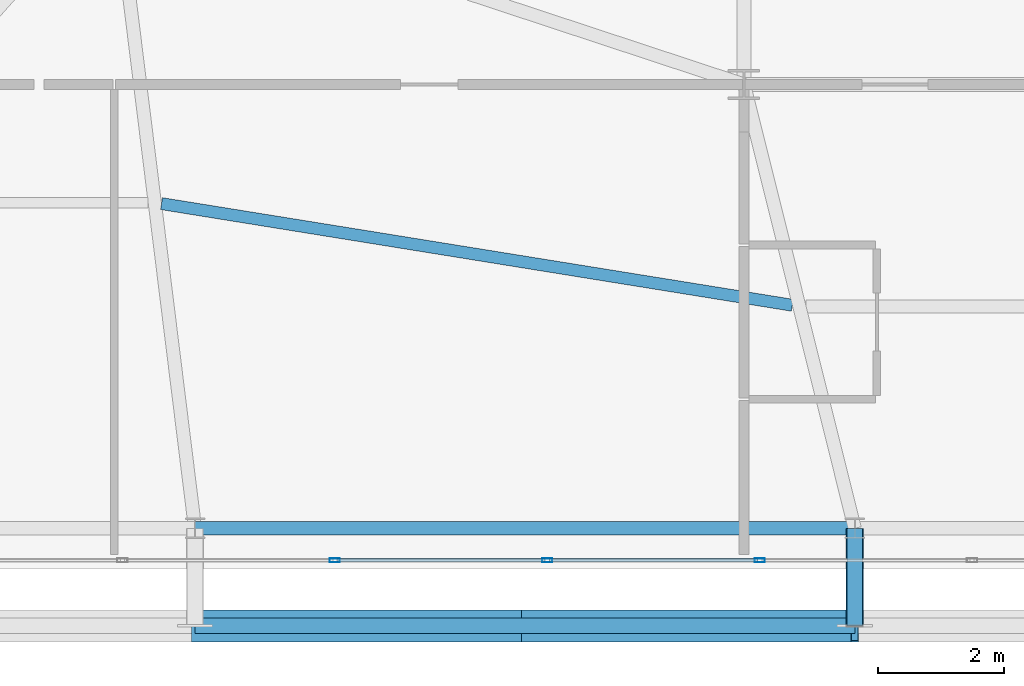
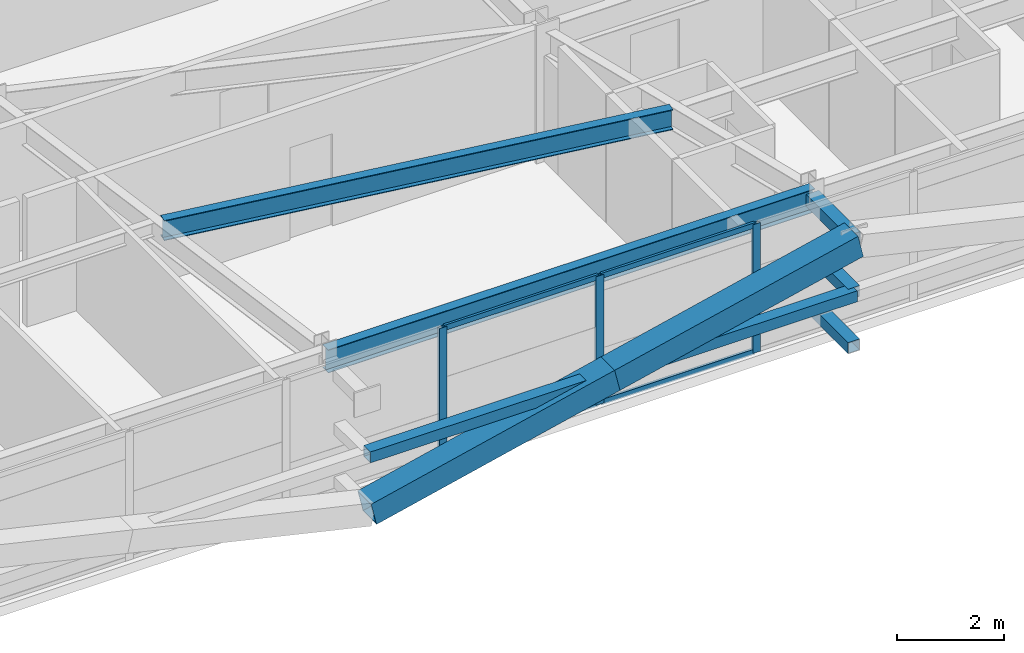
# One storey, part 11 of 59: 13 members, 2 beams, 1 element without a shape of its own.
"""IFC4 building model written with IfcOpenShell, lengths in metres."""

import ifcopenshell
import ifcopenshell.guid

model = None  # the IFC model being written
_history = None  # IfcOwnerHistory: only IFC2X3 demands one
_inside = {}  # id of a spatial element -> (the spatial element, [elements in it])
_under = {}  # id of a project, library or spatial element -> (it, [spatial elements below it])
_declared = {}  # id of a project -> (the project, [libraries it declares])
_typed = {}  # id of a type object -> (the type object, [elements of that type])
_made_of = {}  # id of a material, layer set ... -> (it, [elements and type objects made of it])


def new_model(schema):
    """Start an empty IFC model of exactly this schema.

    Asked for "IFC4X3", IfcOpenShell would pick the latest addendum, in which some entities
    have other attributes; the version numbers below select the first issue.
    IFC2X3 requires an IfcOwnerHistory on every rooted entity: one is made here for all.
    """
    global model, _history
    if schema == "IFC4X3":
        model = ifcopenshell.file(schema_version=(4, 3, 0, 0))
    else:
        model = ifcopenshell.file(schema=schema)
    _inside.clear()
    _under.clear()
    _declared.clear()
    _typed.clear()
    _made_of.clear()
    _history = None
    if model.schema == "IFC2X3":
        org = make("IfcOrganization", Name="unknown")
        user = make(
            "IfcPersonAndOrganization",
            ThePerson=make("IfcPerson", FamilyName="unknown"),
            TheOrganization=org,
        )
        app = make(
            "IfcApplication",
            ApplicationDeveloper=org,
            Version="unknown",
            ApplicationFullName="unknown",
            ApplicationIdentifier="unknown",
        )
        _history = make(
            "IfcOwnerHistory",
            OwningUser=user,
            OwningApplication=app,
            ChangeAction="ADDED",
            CreationDate=0,
        )
    return model


def make(cls, **values):
    """One entity of the class cls with the attributes given. An attribute that is None is left unset."""
    return model.create_entity(
        cls, **{name: value for name, value in values.items() if value is not None}
    )


def rooted(cls, **values):
    """An entity with a GlobalId (a new one), such as an element, a storey or a relation."""
    return make(cls, GlobalId=ifcopenshell.guid.new(), OwnerHistory=_history, **values)


def si_unit(unit_type, name, prefix=None):
    """IfcSIUnit, for example si_unit("LENGTHUNIT", "METRE", prefix="MILLI")."""
    return make("IfcSIUnit", UnitType=unit_type, Prefix=prefix, Name=name)


def assignment(units):
    """IfcUnitAssignment: the units of a project."""
    return None if units is None else make("IfcUnitAssignment", Units=units)


def point(xyz):
    """IfcCartesianPoint."""
    return None if xyz is None else make("IfcCartesianPoint", Coordinates=xyz)


def direction(xyz):
    """IfcDirection."""
    return None if xyz is None else make("IfcDirection", DirectionRatios=xyz)


def frame(location, z_axis=None, x_axis=None):
    """IfcAxis2Placement3D, a coordinate frame: its origin and axes. An axis left out is left unset."""
    return make(
        "IfcAxis2Placement3D",
        Location=point(location),
        Axis=direction(z_axis),
        RefDirection=direction(x_axis),
    )


def frame_2d(location, x_axis=None):
    """IfcAxis2Placement2D, a coordinate frame in the plane: its origin and x axis."""
    return make(
        "IfcAxis2Placement2D", Location=point(location), RefDirection=direction(x_axis)
    )


def origin():
    """The frame at (0, 0, 0) with its axes left unset."""
    return frame((0.0, 0.0, 0.0))


def origin_2d():
    """The frame at (0, 0) in the plane with its x axis left unset."""
    return frame_2d((0.0, 0.0))


def place(relative_to, where):
    """IfcLocalPlacement: puts the frame where relative to a parent placement (None: the world)."""
    return make(
        "IfcLocalPlacement", PlacementRelTo=relative_to, RelativePlacement=where
    )


def context(
    kind, dimensions, precision=None, world=None, true_north=None, identifier=None
):
    """IfcGeometricRepresentationContext, for example the 3D "Model" context."""
    return make(
        "IfcGeometricRepresentationContext",
        ContextIdentifier=identifier,
        ContextType=kind,
        CoordinateSpaceDimension=dimensions,
        Precision=precision,
        WorldCoordinateSystem=world,
        TrueNorth=true_north,
    )


def subcontext(parent, identifier, kind, view, scale=None):
    """IfcGeometricRepresentationSubContext, for example "Body" below "Model"."""
    return make(
        "IfcGeometricRepresentationSubContext",
        ContextIdentifier=identifier,
        ContextType=kind,
        ParentContext=parent,
        TargetScale=scale,
        TargetView=view,
    )


def project(units=None, contexts=None):
    """IfcProject with its units and contexts."""
    return rooted(
        "IfcProject",
        Name="project",
        RepresentationContexts=contexts,
        UnitsInContext=assignment(units),
    )


def spatial(cls, under=None, at=None, **own):
    """A site, building, storey or space (cls), placed at a placement, below another one or the project."""
    s = rooted(cls, ObjectPlacement=at, **own)
    if under is not None:
        _under.setdefault(under.id(), (under, []))[1].append(s)
    return s


def profile(cls, at=None, kind="AREA", **sizes):
    """A parametric profile (cls). Its sizes go by their IFC names, for example OverallWidth=200.0."""
    return make(cls, ProfileType=kind, Position=at, **sizes)


def hollow_rectangle(**sizes):
    """IfcRectangleHollowProfileDef."""
    return profile("IfcRectangleHollowProfileDef", **sizes)


def i_section(**sizes):
    """IfcIShapeProfileDef."""
    return profile("IfcIShapeProfileDef", **sizes)


def extrude(swept, where, along, depth):
    """IfcExtrudedAreaSolid: the profile swept, set in the frame where, extruded along a direction by depth."""
    return make(
        "IfcExtrudedAreaSolid",
        SweptArea=swept,
        Position=where,
        ExtrudedDirection=direction(along),
        Depth=depth,
    )


def shape(context_of_items, identifier, shape_type, items):
    """IfcShapeRepresentation: the items that make up one representation, for example the "Body"."""
    return make(
        "IfcShapeRepresentation",
        ContextOfItems=context_of_items,
        RepresentationIdentifier=identifier,
        RepresentationType=shape_type,
        Items=items,
    )


def source(mapping_origin, context_of_items, identifier, shape_type, items):
    """IfcRepresentationMap: a shape defined once, which mapped items show again and again."""
    return make(
        "IfcRepresentationMap",
        MappingOrigin=mapping_origin,
        MappedRepresentation=shape(context_of_items, identifier, shape_type, items),
    )


def transform(
    local_origin,
    x_axis=None,
    y_axis=None,
    z_axis=None,
    scale=None,
    scale2=None,
    scale3=None,
    uniform=True,
):
    """IfcCartesianTransformationOperator3D, or its non-uniform kind. x_axis, y_axis, z_axis: its Axis1, 2, 3."""
    if uniform:
        return make(
            "IfcCartesianTransformationOperator3D",
            Axis1=direction(x_axis),
            Axis2=direction(y_axis),
            LocalOrigin=point(local_origin),
            Scale=scale,
            Axis3=direction(z_axis),
        )
    return make(
        "IfcCartesianTransformationOperator3DnonUniform",
        Axis1=direction(x_axis),
        Axis2=direction(y_axis),
        LocalOrigin=point(local_origin),
        Scale=scale,
        Axis3=direction(z_axis),
        Scale2=scale2,
        Scale3=scale3,
    )


def mapped(mapping_source, mapping_target):
    """IfcMappedItem: shows the shape of a source again, moved by a transform."""
    return make(
        "IfcMappedItem", MappingSource=mapping_source, MappingTarget=mapping_target
    )


def material(Name=None, Category=None):
    """IfcMaterial."""
    return make("IfcMaterial", Name=Name, Category=Category)


def layer(
    of_material, thickness, ventilated=None, Name=None, Category=None, Priority=None
):
    """IfcMaterialLayer: one layer of a wall or slab, of a material (None: an air gap)."""
    return make(
        "IfcMaterialLayer",
        Material=of_material,
        LayerThickness=thickness,
        IsVentilated=ventilated,
        Name=Name,
        Category=Category,
        Priority=Priority,
    )


def layer_set(layers, Name=None):
    """IfcMaterialLayerSet."""
    return make("IfcMaterialLayerSet", MaterialLayers=layers, LayerSetName=Name)


def material_profile(
    of_material, cross_section, Name=None, Category=None, Priority=None
):
    """IfcMaterialProfile: a cross section and its material."""
    return make(
        "IfcMaterialProfile",
        Name=Name,
        Material=of_material,
        Profile=cross_section,
        Priority=Priority,
        Category=Category,
    )


def profile_set(profiles, Name=None, composite=None):
    """IfcMaterialProfileSet."""
    return make(
        "IfcMaterialProfileSet",
        Name=Name,
        MaterialProfiles=profiles,
        CompositeProfile=composite,
    )


def made_of(thing, what):
    """Note that an element or type object is made of a material, layer set ...; save() writes the relation."""
    if what is not None:
        _made_of.setdefault(what.id(), (what, []))[1].append(thing)
    return thing


def type_object(cls, material=None, **own):
    """A type object (cls), such as IfcWallType, which elements share."""
    return made_of(rooted(cls, **own), material)


def element(
    cls,
    number,
    at=None,
    inside=None,
    cuts=None,
    type_object=None,
    material=None,
    context=None,
    identifier="Body",
    shape_type=None,
    held_by="IfcProductDefinitionShape",
    body=None,
    shapes=None,
    **own,
):
    """One element of the class cls, such as IfcWall. Its Tag is "e" and its number.

    at: its placement. inside: the storey or other place that contains it. cuts: it is an
    opening in that element (IfcRelVoidsElement). A single representation is given by context,
    identifier, shape_type and body (its items); several are given by shapes. held_by: the class
    of the entity that holds the representations. save() writes the other relations.
    """
    e = rooted(cls, Tag="e%d" % number, ObjectPlacement=at, **own)
    if body is not None:
        shapes = [shape(context, identifier, shape_type, body)]
    if shapes is not None:
        e.Representation = make(held_by, Representations=shapes)
    if inside is not None:
        _inside.setdefault(inside.id(), (inside, []))[1].append(e)
    if cuts is not None:
        rooted(
            "IfcRelVoidsElement", RelatingBuildingElement=cuts, RelatedOpeningElement=e
        )
    if type_object is not None:
        _typed.setdefault(type_object.id(), (type_object, []))[1].append(e)
    return made_of(e, material)


def aggregate(whole, parts):
    """IfcRelAggregates: a whole, such as a stair, and the parts it consists of."""
    return rooted("IfcRelAggregates", RelatingObject=whole, RelatedObjects=parts)


def save(model, path):
    """Write the relations noted so far, then the file.

    IfcRelAggregates (storeys below a building ...), IfcRelContainedInSpatialStructure (elements
    in a storey), IfcRelDefinesByType, IfcRelAssociatesMaterial and IfcRelDeclares: one each for
    every whole, place, type object, material and project.
    """
    for whole, parts in _under.values():
        aggregate(whole, parts)
    for where, things in _inside.values():
        rooted(
            "IfcRelContainedInSpatialStructure",
            RelatedElements=things,
            RelatingStructure=where,
        )
    for kind, things in _typed.values():
        rooted("IfcRelDefinesByType", RelatedObjects=things, RelatingType=kind)
    for what, things in _made_of.values():
        rooted("IfcRelAssociatesMaterial", RelatedObjects=things, RelatingMaterial=what)
    for by, libraries in _declared.values():
        rooted("IfcRelDeclares", RelatingContext=by, RelatedDefinitions=libraries)
    model.write(path)


model = new_model("IFC4")

# Units and contexts
model_context = context("Model", 3, precision=1e-05, world=origin(), true_north=direction((0.0, 1.0)))
body_context = subcontext(model_context, "Body", "Model", "MODEL_VIEW")
ifc_project = project(units=[si_unit("LENGTHUNIT", "METRE"), si_unit("AREAUNIT", "SQUARE_METRE"), si_unit("VOLUMEUNIT", "CUBIC_METRE"), si_unit("PLANEANGLEUNIT", "RADIAN"), si_unit("MASSUNIT", "GRAM", prefix="KILO")], contexts=[model_context])

# Site, building, storey
site_placement = place(None, origin())
site = spatial("IfcSite", under=ifc_project, at=site_placement, CompositionType="ELEMENT")
building_placement = place(site_placement, origin())
building = spatial("IfcBuilding", under=site, at=building_placement, Name="Taldren Reach Tower", CompositionType="ELEMENT")
storey_placement = place(building_placement, frame((0.0, 0.0, 45.14990234375)))
storey = spatial("IfcBuildingStorey", under=building, at=storey_placement, Name="L13", CompositionType="ELEMENT", Elevation=45.14990234375)

# Beams
ifc_material_1 = material(Name="Steel Gr 350 (350PLUS)", Category="steel")
ifc_material_profile_1 = material_profile(ifc_material_1, i_section(OverallWidth=0.208984375, OverallDepth=0.528076171875, WebThickness=0.009521484375, FlangeThickness=0.01318359375, at=origin_2d()), Name="530UB82.0")
ifc_profile_set_1 = profile_set([ifc_material_profile_1], Name="Steel Gr 350 (350PLUS)")
beam_type_1 = type_object("IfcBeamType", Name="SP-UB530B", PredefinedType="SPANDREL", material=ifc_profile_set_1)
shared_shape_1 = source(origin(), body_context, "Body", "SweptSolid", [
    extrude(i_section(OverallWidth=0.208984375, OverallDepth=0.528076171875, WebThickness=0.009521484375, FlangeThickness=0.01318359375, at=origin_2d()), origin(), (0.0, 0.0, 1.0), 10.47998046875),
])
beam_1_placement = place(storey_placement, frame((19.280029296875, 2.14990234375, 2.666015625), z_axis=(1.0, 0.0, 0.0), x_axis=(0.0, 1.0, 0.0)))
element("IfcBeam", 1, at=beam_1_placement, inside=storey, type_object=beam_type_1, Name="Perimeter spandrel B1 S2-S3 L13", PredefinedType="SPANDREL", context=body_context, shape_type="MappedRepresentation", body=[
    mapped(shared_shape_1, transform((0.0, 0.0, 0.0), scale=1.0)),
])
ifc_material_profile_2 = material_profile(ifc_material_1, i_section(OverallWidth=0.19091796875, OverallDepth=0.4599609375, WebThickness=0.010009765625, FlangeThickness=0.01611328125, at=origin_2d()), Name="460UB82.1")
ifc_profile_set_2 = profile_set([ifc_material_profile_2], Name="Steel Gr 350 (350PLUS)")
beam_type_2 = type_object("IfcBeamType", Name="BM-UB460A", PredefinedType="BEAM", material=ifc_profile_set_2)
shared_shape_2 = source(origin(), body_context, "Body", "SweptSolid", [
    extrude(i_section(OverallWidth=0.19091796875, OverallDepth=0.4599609375, WebThickness=0.010009765625, FlangeThickness=0.01611328125, at=origin_2d()), origin(), (0.0, 0.0, 1.0), 10.1494140625),
])
beam_2_placement = place(storey_placement, frame((18.74755859375, 7.3076171875, 2.7001953125), z_axis=(0.987266967452, -0.159072106224, 0.0), x_axis=(0.159072106224, 0.987266967452, 0.0)))
element("IfcBeam", 2, at=beam_2_placement, inside=storey, type_object=beam_type_2, Name="Secondary floor beam B1 J2 L13", PredefinedType="BEAM", context=body_context, shape_type="MappedRepresentation", body=[
    mapped(shared_shape_2, transform((0.0, 0.0, 0.0), scale=1.0)),
])

# Members
ifc_material_2 = material(Name="Steel Gr 450 (C450L0)", Category="steel")
ifc_material_profile_3 = material_profile(ifc_material_2, hollow_rectangle(XDim=0.27490234375, YDim=0.27490234375, WallThickness=0.00927734375, at=origin_2d()), Name="275x275x9.3SHS")
ifc_profile_set_3 = profile_set([ifc_material_profile_3], Name="Steel Gr 450 (C450L0)")
member_type_1 = type_object("IfcMemberType", Name="MB-TIE273", PredefinedType="STRUT", material=ifc_profile_set_3)
shared_shape_3 = source(origin(), body_context, "Body", "SweptSolid", [
    extrude(hollow_rectangle(XDim=0.27490234375, YDim=0.27490234375, WallThickness=0.00927734375, at=origin_2d()), origin(), (0.0, 0.0, 1.0), 1.5498046875),
])
member_1_placement = place(storey_placement, frame((29.760009765625, 2.14990234375, 2.650146484375), z_axis=(0.0, -1.0, 0.0), x_axis=(1.0, 0.0, 0.0)))
element("IfcMember", 3, at=member_1_placement, inside=storey, type_object=member_type_1, Name="Exoskeleton diaphragm tie strut B1-S3 L13", PredefinedType="STRUT", context=body_context, shape_type="MappedRepresentation", body=[
    mapped(shared_shape_3, transform((0.0, 0.0, 0.0), scale=1.0)),
])
ifc_material_profile_4 = material_profile(ifc_material_2, hollow_rectangle(XDim=0.510009765625, YDim=0.510009765625, WallThickness=0.02001953125, at=origin_2d()), Name="510x510x20.0SHS")
ifc_profile_set_4 = profile_set([ifc_material_profile_4], Name="Steel Gr 450 (C450L0)")
member_type_2 = type_object("IfcMemberType", Name="MB-EXO508", PredefinedType="BRACE", material=ifc_profile_set_4)
shared_shape_4 = source(origin(), body_context, "Body", "SweptSolid", [
    extrude(hollow_rectangle(XDim=0.510009765625, YDim=0.510009765625, WallThickness=0.02001953125, at=origin_2d()), origin(), (0.0, 0.0, 1.0), 5.37890625),
])
for number, where, z_axis, x_axis, name in (
    (4, (19.280029296875, 0.60009765625, 0.22021484375), (0.974161966843, 0.0, 0.225850531007), (0.0, 1.0, 0.0), "Exoskeleton Diagrid Brace B1-S2 L13"),
    (5, (24.52001953125, 0.60009765625, 1.43505859375), (0.97415197996, 0.0, 0.225893603143), (0.0, 1.0, 0.0), "Exoskeleton Diagrid Brace B1-S2 L13"),
):
    element("IfcMember", number, at=place(storey_placement, frame(where, z_axis=z_axis, x_axis=x_axis)), inside=storey, type_object=member_type_2, Name=name, PredefinedType="BRACE", context=body_context, shape_type="MappedRepresentation", body=[
        mapped(shared_shape_4, transform((0.0, 0.0, 0.0), scale=1.0)),
    ])
ifc_material_3 = material(Name="Steel Gr 350 (C350L0)", Category="steel")
ifc_material_profile_5 = material_profile(ifc_material_3, hollow_rectangle(XDim=0.25, YDim=0.25, WallThickness=0.010009765625, at=origin_2d()), Name="250x250x10.0SHS")
ifc_profile_set_5 = profile_set([ifc_material_profile_5], Name="Steel Gr 350 (C350L0)")
member_type_3 = type_object("IfcMemberType", Name="MB-POST250", PredefinedType="POST", material=ifc_profile_set_5)
shared_shape_5 = source(origin(), body_context, "Body", "SweptSolid", [
    extrude(hollow_rectangle(XDim=0.25, YDim=0.25, WallThickness=0.010009765625, at=origin_2d()), origin(), (0.0, 0.0, 1.0), 10.47998046875),
])
member_2_placement = place(storey_placement, frame((19.280029296875, 0.60009765625, 1.43505859375), z_axis=(1.0, 0.0, 0.0), x_axis=(0.0, 1.0, 0.0)))
element("IfcMember", 6, at=member_2_placement, inside=storey, type_object=member_type_3, Name="Exoskeleton mid-height ring chord B1-S2 L13", PredefinedType="POST", context=body_context, shape_type="MappedRepresentation", body=[
    mapped(shared_shape_5, transform((0.0, 0.0, 0.0), scale=1.0)),
])
shared_shape_6 = source(origin(), body_context, "Body", "SweptSolid", [
    extrude(hollow_rectangle(XDim=0.25, YDim=0.25, WallThickness=0.010009765625, at=origin_2d()), origin(), (0.0, 0.0, 1.0), 1.5498046875),
])
for number, where, z_axis, x_axis, name in (
    (7, (29.760009765625, 2.14990234375, 0.22021484375), (0.0, -1.0, 0.0), (1.0, 0.0, 0.0), "Exoskeleton base diaphragm tie strut B1-S3 L13"),
    (8, (29.760009765625, 2.14990234375, 1.43505859375), (0.0, -1.0, 0.0), (1.0, 0.0, 0.0), "Exoskeleton mid-tier diaphragm tie B1-S3 L13"),
):
    element("IfcMember", number, at=place(storey_placement, frame(where, z_axis=z_axis, x_axis=x_axis)), inside=storey, type_object=member_type_3, Name=name, PredefinedType="POST", context=body_context, shape_type="MappedRepresentation", body=[
        mapped(shared_shape_6, transform((0.0, 0.0, 0.0), scale=1.0)),
    ])

# Curtain wall, members
ifc_material_4 = material(Name="Aluminium and Low-E Glass Unitised System", Category="aluminium")
ifc_layer = layer(ifc_material_4, 0.159912109375)
ifc_layer_set = layer_set([ifc_layer], Name="Aluminium and Low-E Glass Unitised System")
curtain_wall_type = type_object("IfcCurtainWallType", Name="CW-SYS-2", PredefinedType="NOTDEFINED", material=ifc_layer_set)
curtain_wall_placement = place(storey_placement, origin())
curtain_wall = element("IfcCurtainWall", 9, at=curtain_wall_placement, inside=storey, type_object=curtain_wall_type, Name="Unitised curtain wall CW-L13-S", PredefinedType="NOTDEFINED")
ifc_material_5 = material(Name="Anodised Aluminium 6063-T6", Category="aluminium")
ifc_material_profile_6 = material_profile(ifc_material_5, hollow_rectangle(XDim=0.054931640625, YDim=0.1201171875, WallThickness=0.0029296875, at=origin_2d()), Name="ALU-120x55x3RHS")
ifc_profile_set_6 = profile_set([ifc_material_profile_6], Name="Anodised Aluminium 6063-T6")
member_type_4 = type_object("IfcMemberType", Name="CW-TRN-135", PredefinedType="USERDEFINED", material=ifc_profile_set_6)
shared_shape_7 = source(origin(), body_context, "Body", "SweptSolid", [
    extrude(hollow_rectangle(XDim=0.054931640625, YDim=0.1201171875, WallThickness=0.0029296875, at=origin_2d()), origin(), (0.0, 0.0, 1.0), 3.31005859375),
])
member_3_placement = place(storey_placement, frame((21.532470703125, 1.639892578125, 0.027587890625), z_axis=(1.0, 0.0, 0.0), x_axis=(0.0, 1.0, 0.0)))
member_3 = element("IfcMember", 10, at=member_3_placement, type_object=member_type_4, Name="CW-2 transom 5.1", ObjectType="TRANSOM", PredefinedType="USERDEFINED", context=body_context, shape_type="MappedRepresentation", body=[
    mapped(shared_shape_7, transform((0.0, 0.0, 0.0), scale=1.0)),
])
member_4_placement = place(storey_placement, frame((21.532470703125, 1.639892578125, 2.902587890625), z_axis=(1.0, 0.0, 0.0), x_axis=(0.0, 1.0, 0.0)))
member_4 = element("IfcMember", 11, at=member_4_placement, type_object=member_type_4, Name="CW-2 transom 5.2", ObjectType="TRANSOM", PredefinedType="USERDEFINED", context=body_context, shape_type="MappedRepresentation", body=[
    mapped(shared_shape_7, transform((0.0, 0.0, 0.0), scale=1.0)),
])
member_5_placement = place(storey_placement, frame((24.907470703125, 1.639892578125, 0.027587890625), z_axis=(1.0, 0.0, 0.0), x_axis=(0.0, 1.0, 0.0)))
member_5 = element("IfcMember", 12, at=member_5_placement, type_object=member_type_4, Name="CW-2 transom 6.1", ObjectType="TRANSOM", PredefinedType="USERDEFINED", context=body_context, shape_type="MappedRepresentation", body=[
    mapped(shared_shape_7, transform((0.0, 0.0, 0.0), scale=1.0)),
])
member_6_placement = place(storey_placement, frame((24.907470703125, 1.639892578125, 2.902587890625), z_axis=(1.0, 0.0, 0.0), x_axis=(0.0, 1.0, 0.0)))
member_6 = element("IfcMember", 13, at=member_6_placement, type_object=member_type_4, Name="CW-2 transom 6.2", ObjectType="TRANSOM", PredefinedType="USERDEFINED", context=body_context, shape_type="MappedRepresentation", body=[
    mapped(shared_shape_7, transform((0.0, 0.0, 0.0), scale=1.0)),
])
ifc_material_profile_7 = material_profile(ifc_material_5, hollow_rectangle(XDim=0.06494140625, YDim=0.1650390625, WallThickness=0.00390625, at=origin_2d()), Name="ALU-165x65x4RHS")
ifc_profile_set_7 = profile_set([ifc_material_profile_7], Name="Anodised Aluminium 6063-T6")
member_type_5 = type_object("IfcMemberType", Name="CW-MUL-165", PredefinedType="MULLION", material=ifc_profile_set_7)
shared_shape_8 = source(origin(), body_context, "Body", "SweptSolid", [
    extrude(hollow_rectangle(XDim=0.06494140625, YDim=0.1650390625, WallThickness=0.00390625, at=origin_2d()), origin(), (0.0, 0.0, 1.0), 2.93017578125),
])
member_7_placement = place(storey_placement, frame((21.5, 1.639892578125, 0.0), z_axis=(0.0, 0.0, 1.0), x_axis=(0.0, 1.0, 0.0)))
member_7 = element("IfcMember", 14, at=member_7_placement, type_object=member_type_5, Name="CW-2 mullion 5", PredefinedType="MULLION", context=body_context, shape_type="MappedRepresentation", body=[
    mapped(shared_shape_8, transform((0.0, 0.0, 0.0), scale=1.0)),
])
member_8_placement = place(storey_placement, frame((24.875, 1.639892578125, 0.0), z_axis=(0.0, 0.0, 1.0), x_axis=(0.0, 1.0, 0.0)))
member_8 = element("IfcMember", 15, at=member_8_placement, type_object=member_type_5, Name="CW-2 mullion 6", PredefinedType="MULLION", context=body_context, shape_type="MappedRepresentation", body=[
    mapped(shared_shape_8, transform((0.0, 0.0, 0.0), scale=1.0)),
])
member_9_placement = place(storey_placement, frame((28.25, 1.639892578125, 0.0), z_axis=(0.0, 0.0, 1.0), x_axis=(0.0, 1.0, 0.0)))
member_9 = element("IfcMember", 16, at=member_9_placement, type_object=member_type_5, Name="CW-2 mullion 7", PredefinedType="MULLION", context=body_context, shape_type="MappedRepresentation", body=[
    mapped(shared_shape_8, transform((0.0, 0.0, 0.0), scale=1.0)),
])
aggregate(curtain_wall, [member_7, member_8, member_9, member_3, member_4, member_5, member_6])

save(model, "model.ifc")
